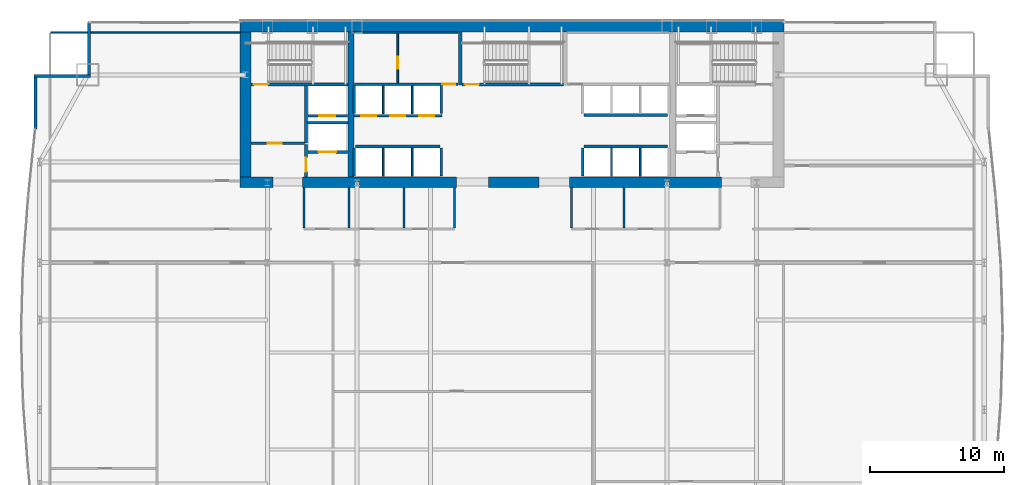
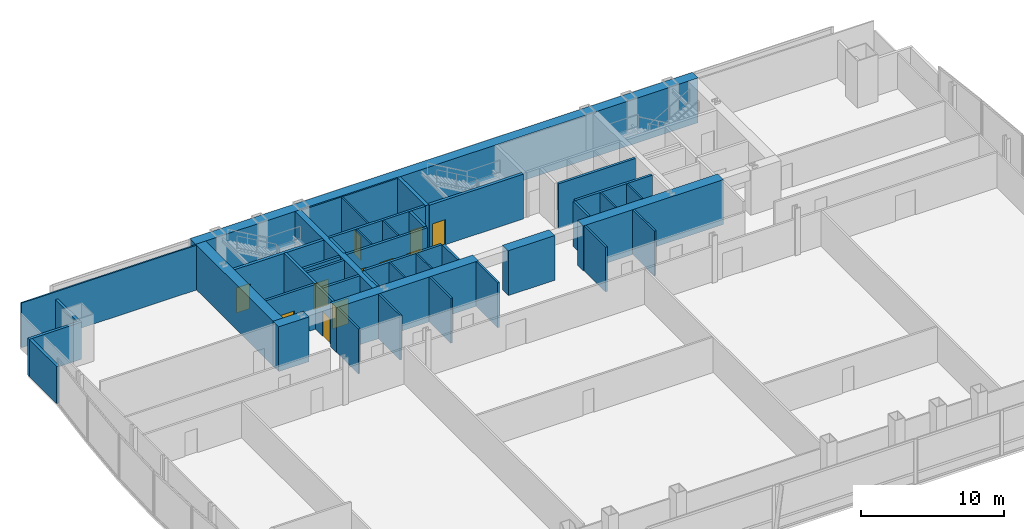
# One storey, part 28 of 32: 44 walls, 11 doors, 11 openings.
"""IFC4 building model written with IfcOpenShell, lengths in metres."""

from ifc_helpers import new_model, si_unit, direction, frame, frame_2d, origin, place, context, subcontext, project, spatial, rectangle, extrude, material, layer, layer_set, type_object, element, fill, save


model = new_model("IFC4")

# Units and contexts
model_context = context("Model", 3, precision=1e-05, world=origin(), true_north=direction((0.0, 1.0)))
body_context = subcontext(model_context, "Body", "Model", "MODEL_VIEW")
ifc_project = project(units=[si_unit("LENGTHUNIT", "METRE"), si_unit("AREAUNIT", "SQUARE_METRE"), si_unit("VOLUMEUNIT", "CUBIC_METRE"), si_unit("PLANEANGLEUNIT", "RADIAN"), si_unit("MASSUNIT", "GRAM", prefix="KILO")], contexts=[model_context])

# Site, building, storey
site_placement = place(None, origin())
site = spatial("IfcSite", under=ifc_project, at=site_placement, CompositionType="ELEMENT")
building_placement = place(site_placement, origin())
building = spatial("IfcBuilding", under=site, at=building_placement, Name="Khoronbel Lancet Exchange", CompositionType="ELEMENT")
storey_placement = place(building_placement, frame((0.0, 0.0, 29.800048828125)))
storey = spatial("IfcBuildingStorey", under=building, at=storey_placement, Name="L06", CompositionType="ELEMENT", Elevation=29.800048828125)

# Walls
ifc_material_1 = material(Name="Concrete C80/95", Category="concrete")
ifc_layer_1 = layer(ifc_material_1, 0.800048828125, Name="Concrete C80/95")
ifc_layer_set_1 = layer_set([ifc_layer_1], Name="Concrete C80/95")
wall_type_1 = type_object("IfcWallType", Name="WL-CW1", PredefinedType="SHEAR", material=ifc_layer_set_1)
wall_1_placement = place(storey_placement, frame((16.199951171875, 53.300048828125, 0.0), z_axis=(0.0, 0.0, 1.0), x_axis=(1.0, 0.0, 0.0)))
element("IfcWall", 1, at=wall_1_placement, inside=storey, type_object=wall_type_1, Name="Level L06 rear core north shear wall", PredefinedType="SHEAR", context=body_context, shape_type="SweptSolid", body=[
    extrude(rectangle(XDim=40.5, YDim=0.800048828125, at=frame_2d((20.25, 0.0))), origin(), (0.0, 0.0, 1.0), 3.820068359375),
])
wall_2_placement = place(storey_placement, frame((16.60009765625, 42.10009765625, 0.0), z_axis=(0.0, 0.0, 1.0), x_axis=(0.0, 1.0, 0.0)))
element("IfcWall", 2, at=wall_2_placement, inside=storey, type_object=wall_type_1, Name="Level L06 rear core west shear wall", PredefinedType="SHEAR", context=body_context, shape_type="SweptSolid", body=[
    extrude(rectangle(XDim=10.7998046875, YDim=0.800048828125, at=frame_2d((5.39990234375, 0.0))), origin(), (0.0, 0.0, 1.0), 3.820068359375),
])
wall_3_placement = place(storey_placement, frame((18.64990234375, 41.699951171875, 0.0), z_axis=(0.0, 0.0, 1.0), x_axis=(-1.0, 0.0, 0.0)))
element("IfcWall", 3, at=wall_3_placement, inside=storey, type_object=wall_type_1, Name="Level L06 rear core south shear wall pier P1", PredefinedType="SHEAR", context=body_context, shape_type="SweptSolid", body=[
    extrude(rectangle(XDim=2.449951171875, YDim=0.800048828125, at=frame_2d((1.22509765625, 0.0))), origin(), (0.0, 0.0, 1.0), 3.820068359375),
])
wall_4_placement = place(storey_placement, frame((32.300048828125, 41.699951171875, 0.0), z_axis=(0.0, 0.0, 1.0), x_axis=(-1.0, 0.0, 0.0)))
element("IfcWall", 4, at=wall_4_placement, inside=storey, type_object=wall_type_1, Name="Level L06 rear core south shear wall pier P2", PredefinedType="SHEAR", context=body_context, shape_type="SweptSolid", body=[
    extrude(rectangle(XDim=11.449951171875, YDim=0.800048828125, at=frame_2d((5.72509765625, 0.0))), origin(), (0.0, 0.0, 1.0), 3.820068359375),
])
wall_5_placement = place(storey_placement, frame((38.449951171875, 41.699951171875, 0.0), z_axis=(0.0, 0.0, 1.0), x_axis=(-1.0, 0.0, 0.0)))
element("IfcWall", 5, at=wall_5_placement, inside=storey, type_object=wall_type_1, Name="Level L06 rear core south shear wall pier P3", PredefinedType="SHEAR", context=body_context, shape_type="SweptSolid", body=[
    extrude(rectangle(XDim=3.75, YDim=0.800048828125, at=frame_2d((1.875, 0.0))), origin(), (0.0, 0.0, 1.0), 3.820068359375),
])
wall_6_placement = place(storey_placement, frame((52.050048828125, 41.699951171875, 0.0), z_axis=(0.0, 0.0, 1.0), x_axis=(-1.0, 0.0, 0.0)))
element("IfcWall", 6, at=wall_6_placement, inside=storey, type_object=wall_type_1, Name="Level L06 rear core south shear wall pier P4", PredefinedType="SHEAR", context=body_context, shape_type="SweptSolid", body=[
    extrude(rectangle(XDim=11.300048828125, YDim=0.800048828125, at=frame_2d((5.64990234375, 0.0))), origin(), (0.0, 0.0, 1.0), 3.820068359375),
])
ifc_material_2 = material(Name="Precast concrete C40/50", Category="concrete")
ifc_layer_2 = layer(ifc_material_2, 0.25, Name="Precast concrete C40/50")
ifc_layer_set_2 = layer_set([ifc_layer_2], Name="Precast concrete C40/50")
wall_type_2 = type_object("IfcWallType", Name="WL-EXT250", PredefinedType="SOLIDWALL", material=ifc_layer_set_2)
wall_7_placement = place(storey_placement, frame((0.93994140625, 45.67529296875, 0.0), z_axis=(0.0, 0.0, 1.0), x_axis=(0.0, 1.0, 0.0)))
element("IfcWall", 7, at=wall_7_placement, inside=storey, type_object=wall_type_2, Name="Level L06 notched-corner limestone pier 10", PredefinedType="SOLIDWALL", context=body_context, shape_type="SweptSolid", body=[
    extrude(rectangle(XDim=3.82470703125, YDim=0.219970703125, at=frame_2d((1.912353515625, 0.0))), origin(), (0.0, 0.0, 1.0), 3.159912109375),
])
wall_8_placement = place(storey_placement, frame((0.830078125, 49.610107421875, 0.0), z_axis=(0.0, 0.0, 1.0), x_axis=(1.0, 0.0, 0.0)))
element("IfcWall", 8, at=wall_8_placement, inside=storey, type_object=wall_type_2, Name="Level L06 notched-corner limestone pier 11", PredefinedType="SOLIDWALL", context=body_context, shape_type="SweptSolid", body=[
    extrude(rectangle(XDim=4.219970703125, YDim=0.219970703125, at=frame_2d((2.10986328125, 0.0))), origin(), (0.0, 0.0, 1.0), 3.159912109375),
])
wall_9_placement = place(storey_placement, frame((4.93994140625, 49.719970703125, 0.0), z_axis=(0.0, 0.0, 1.0), x_axis=(0.0, 1.0, 0.0)))
element("IfcWall", 9, at=wall_9_placement, inside=storey, type_object=wall_type_2, Name="Level L06 notched-corner limestone pier 12", PredefinedType="SOLIDWALL", context=body_context, shape_type="SweptSolid", body=[
    extrude(rectangle(XDim=3.909912109375, YDim=0.219970703125, at=frame_2d((1.955078125, 0.0))), origin(), (0.0, 0.0, 1.0), 3.159912109375),
])
ifc_material_3 = material(Name="Acoustic Metal-Stud & Mineral-Wool Gypsum Partition 120 mm", Category="gypsum")
ifc_layer_3 = layer(ifc_material_3, 0.1201171875, Name="Acoustic Metal-Stud & Mineral-Wool Gypsum Partition 120 mm")
ifc_layer_set_3 = layer_set([ifc_layer_3], Name="Acoustic Metal-Stud & Mineral-Wool Gypsum Partition 120 mm")
wall_type_3 = type_object("IfcWallType", Name="WL-PRT120", PredefinedType="PARTITIONING", material=ifc_layer_set_3)
for number, where, z_axis, x_axis, name in (
    (10, (20.949951171875, 38.280029296875, 0.0), (0.0, 0.0, 1.0), (0.0, 1.0, 0.0), "Level L06 interior partition PW-WC-0"),
    (11, (24.300048828125, 38.280029296875, 0.0), (0.0, 0.0, 1.0), (0.0, 1.0, 0.0), "Level L06 interior partition PW-WC-1"),
    (12, (28.39990234375, 38.280029296875, 0.0), (0.0, 0.0, 1.0), (0.0, 1.0, 0.0), "Level L06 interior partition PW-WC-2"),
    (13, (32.179931640625, 38.280029296875, 0.0), (0.0, 0.0, 1.0), (0.0, 1.0, 0.0), "Level L06 interior partition PW-WC-3"),
    (14, (40.8798828125, 38.280029296875, 0.0), (0.0, 0.0, 1.0), (0.0, 1.0, 0.0), "Level L06 interior partition PW-NP-0"),
    (15, (44.800048828125, 38.280029296875, 0.0), (0.0, 0.0, 1.0), (0.0, 1.0, 0.0), "Level L06 interior partition PW-NP-M"),
):
    element("IfcWall", number, at=place(storey_placement, frame(where, z_axis=z_axis, x_axis=x_axis)), inside=storey, type_object=wall_type_3, Name=name, PredefinedType="PARTITIONING", context=body_context, shape_type="SweptSolid", body=[
        extrude(rectangle(XDim=3.02001953125, YDim=0.14990234375, at=frame_2d((1.510009765625, 0.0))), origin(), (0.0, 0.0, 1.0), 3.820068359375),
    ])
wall_10_placement = place(storey_placement, frame((2.094970703125, 52.840087890625, 0.0), z_axis=(0.0, 0.0, 1.0), x_axis=(1.0, 0.0, 0.0)))
element("IfcWall", 16, at=wall_10_placement, inside=storey, type_object=wall_type_3, Name="Level L06 interior partition PW-LIN-NW", PredefinedType="PARTITIONING", context=body_context, shape_type="SweptSolid", body=[
    extrude(rectangle(XDim=14.10498046875, YDim=0.1201171875, at=frame_2d((7.052490234375, 0.0))), origin(), (0.0, 0.0, 1.0), 3.820068359375),
])
ifc_material_4 = material(Name="Fire-Rated Metal-Stud & Mineral-Wool Gypsum Partition 120 mm", Category="gypsum")
ifc_layer_4 = layer(ifc_material_4, 0.1201171875, Name="Fire-Rated Metal-Stud & Mineral-Wool Gypsum Partition 120 mm")
ifc_layer_set_4 = layer_set([ifc_layer_4], Name="Fire-Rated Metal-Stud & Mineral-Wool Gypsum Partition 120 mm")
wall_type_4 = type_object("IfcWallType", Name="WL-PRT120F", PredefinedType="PARTITIONING", material=ifc_layer_set_4)
for number, where, z_axis, x_axis, name in (
    (17, (26.860107421875, 46.800048828125, 0.0), (0.0, 0.0, 1.0), (0.0, 1.0, 0.0), "Level L06 interior partition CW-PL-D1"),
    (18, (29.02001953125, 46.800048828125, 0.0), (0.0, 0.0, 1.0), (0.0, 1.0, 0.0), "Level L06 interior partition CW-PL-D2"),
):
    element("IfcWall", number, at=place(storey_placement, frame(where, z_axis=z_axis, x_axis=x_axis)), inside=storey, type_object=wall_type_4, Name=name, PredefinedType="PARTITIONING", context=body_context, shape_type="SweptSolid", body=[
        extrude(rectangle(XDim=2.094970703125, YDim=0.1201171875, at=frame_2d((1.04736328125, 0.0))), origin(), (0.0, 0.0, 1.0), 3.820068359375),
    ])
for number, where, z_axis, x_axis, name in (
    (19, (26.860107421875, 42.14990234375, 0.0), (0.0, 0.0, 1.0), (0.0, 1.0, 0.0), "Level L06 interior partition CW-PM-D1"),
    (20, (29.02001953125, 42.14990234375, 0.0), (0.0, 0.0, 1.0), (0.0, 1.0, 0.0), "Level L06 interior partition CW-PM-D2"),
    (21, (43.860107421875, 42.14990234375, 0.0), (0.0, 0.0, 1.0), (0.0, 1.0, 0.0), "Level L06 interior partition CW-PX-D1"),
    (22, (46.0, 42.14990234375, 0.0), (0.0, 0.0, 1.0), (0.0, 1.0, 0.0), "Level L06 interior partition CW-PX-D2"),
):
    element("IfcWall", number, at=place(storey_placement, frame(where, z_axis=z_axis, x_axis=x_axis)), inside=storey, type_object=wall_type_4, Name=name, PredefinedType="PARTITIONING", context=body_context, shape_type="SweptSolid", body=[
        extrude(rectangle(XDim=2.09521484375, YDim=0.1201171875, at=frame_2d((1.047607421875, 0.0))), origin(), (0.0, 0.0, 1.0), 3.820068359375),
    ])
wall_11_placement = place(storey_placement, frame((24.699951171875, 52.860107421875, 0.0), z_axis=(0.0, 0.0, 1.0), x_axis=(1.0, 0.0, 0.0)))
element("IfcWall", 23, at=wall_11_placement, inside=storey, type_object=wall_type_4, Name="Level L06 interior partition CW-SUP-NW-N", PredefinedType="PARTITIONING", context=body_context, shape_type="SweptSolid", body=[
    extrude(rectangle(XDim=7.719970703125, YDim=0.1201171875, at=frame_2d((3.85986328125, 0.0))), origin(), (0.0, 0.0, 1.0), 3.820068359375),
])

# Wall, opening, door
wall_12_placement = place(storey_placement, frame((27.9423828125, 49.10498046875, 0.0), z_axis=(0.0, 0.0, 1.0), x_axis=(0.0, 1.0, 0.0)))
wall_12 = element("IfcWall", 24, at=wall_12_placement, inside=storey, type_object=wall_type_4, Name="Level L06 interior partition CW-SUP-NW-M", PredefinedType="PARTITIONING", context=body_context, shape_type="SweptSolid", body=[
    extrude(rectangle(XDim=3.68994140625, YDim=0.1201171875, at=frame_2d((1.844970703125, 0.0))), origin(), (0.0, 0.0, 1.0), 3.820068359375),
])
opening_1_placement = place(wall_12_placement, frame((1.050048828125, 0.0, 0.0)))
opening_1 = element("IfcOpeningElement", 25, at=opening_1_placement, cuts=wall_12, Name="Opening FD4", PredefinedType="OPENING", context=body_context, shape_type="SweptSolid", body=[
    extrude(rectangle(XDim=0.89990234375, YDim=2.050048828125, at=frame_2d((0.449951171875, 1.02490234375))), frame((0.0, 0.070068359375, 0.0), z_axis=(0.0, -1.0, 0.0), x_axis=(1.0, 0.0, 0.0)), (0.0, 0.0, 1.0), 0.14013671875),
])
ifc_material_5 = material(Name="Fire-Rated Steel Core Support Door Assembly", Category="steel")
door_type_1 = type_object("IfcDoorType", Name="DR-FD4", OperationType="NOTDEFINED", PredefinedType="DOOR", material=ifc_material_5)
door_1_placement = place(opening_1_placement, origin())
door_1 = element("IfcDoor", 26, at=door_1_placement, inside=storey, type_object=door_type_1, Name="Core NW inner support door L06-1", OperationType="SINGLE_SWING_RIGHT", OverallHeight=2.050048828125, OverallWidth=0.89990234375, PredefinedType="DOOR", context=body_context, shape_type="SweptSolid", body=[
    extrude(rectangle(XDim=0.89990234375, YDim=2.050048828125, at=frame_2d((0.449951171875, 1.02490234375))), frame((0.0, 0.02490234375, 0.0), z_axis=(0.0, -1.0, 0.0), x_axis=(1.0, 0.0, 0.0)), (0.0, 0.0, 1.0), 0.050048828125),
])
fill(opening_1, door_1)

ifc_material_6 = material(Name="Autoclaved Aerated Concrete Blockwork 200 mm", Category="masonry")
ifc_layer_5 = layer(ifc_material_6, 0.199951171875, Name="Autoclaved Aerated Concrete Blockwork 200 mm")
ifc_layer_set_5 = layer_set([ifc_layer_5], Name="Autoclaved Aerated Concrete Blockwork 200 mm")
wall_type_5 = type_object("IfcWallType", Name="WL-PRT200", PredefinedType="PARTITIONING", material=ifc_layer_set_5)
wall_13_placement = place(storey_placement, frame((24.2099609375, 43.949951171875, 0.0), z_axis=(0.0, 0.0, 1.0), x_axis=(-1.0, 0.0, 0.0)))
wall_13 = element("IfcWall", 27, at=wall_13_placement, inside=storey, type_object=wall_type_5, Name="Level L06 elevator hoistway landing front wall SVLW", PredefinedType="PARTITIONING", context=body_context, shape_type="SweptSolid", body=[
    extrude(rectangle(XDim=2.969970703125, YDim=0.199951171875, at=frame_2d((1.48486328125, 0.0))), origin(), (0.0, 0.0, 1.0), 3.820068359375),
])
opening_2_placement = place(wall_13_placement, frame((0.860107421875, 0.0, 0.0)))
opening_2 = element("IfcOpeningElement", 28, at=opening_2_placement, cuts=wall_13, Name="Opening LD-SVL1", PredefinedType="OPENING", context=body_context, shape_type="SweptSolid", body=[
    extrude(rectangle(XDim=1.300048828125, YDim=2.179931640625, at=frame_2d((0.64990234375, 1.08984375))), frame((0.0, 0.10986328125, 0.0), z_axis=(0.0, -1.0, 0.0), x_axis=(1.0, 0.0, 0.0)), (0.0, 0.0, 1.0), 0.219970703125),
])
ifc_material_7 = material(Name="Heavy-Duty Bi-Parting Goods Lift Landing Door", Category="steel")
door_type_2 = type_object("IfcDoorType", Name="DR-LD-SVL", OperationType="NOTDEFINED", PredefinedType="DOOR", material=ifc_material_7)
door_2_placement = place(opening_2_placement, origin())
door_2 = element("IfcDoor", 29, at=door_2_placement, inside=storey, type_object=door_type_2, Name="Elevator landing sliding door LD-SVL1 L06", OperationType="SLIDING_TO_LEFT", OverallHeight=2.179931640625, OverallWidth=1.300048828125, PredefinedType="DOOR", context=body_context, shape_type="SweptSolid", body=[
    extrude(rectangle(XDim=1.300048828125, YDim=2.179931640625, at=frame_2d((0.64990234375, 1.08984375))), frame((0.0, 0.02490234375, 0.0), z_axis=(0.0, -1.0, 0.0), x_axis=(1.0, 0.0, 0.0)), (0.0, 0.0, 1.0), 0.050048828125),
])
fill(opening_2, door_2)

wall_14_placement = place(storey_placement, frame((24.2099609375, 46.64990234375, 0.0), z_axis=(0.0, 0.0, 1.0), x_axis=(-1.0, 0.0, 0.0)))
wall_14 = element("IfcWall", 30, at=wall_14_placement, inside=storey, type_object=wall_type_5, Name="Level L06 elevator hoistway landing front wall FFLW", PredefinedType="PARTITIONING", context=body_context, shape_type="SweptSolid", body=[
    extrude(rectangle(XDim=2.969970703125, YDim=0.199951171875, at=frame_2d((1.48486328125, 0.0))), origin(), (0.0, 0.0, 1.0), 3.820068359375),
])
opening_3_placement = place(wall_14_placement, frame((0.909912109375, 0.0, 0.0)))
opening_3 = element("IfcOpeningElement", 31, at=opening_3_placement, cuts=wall_14, Name="Opening LD-FFL1", PredefinedType="OPENING", context=body_context, shape_type="SweptSolid", body=[
    extrude(rectangle(XDim=1.199951171875, YDim=2.179931640625, at=frame_2d((0.60009765625, 1.08984375))), frame((0.0, 0.10986328125, 0.0), z_axis=(0.0, -1.0, 0.0), x_axis=(1.0, 0.0, 0.0)), (0.0, 0.0, 1.0), 0.219970703125),
])
ifc_material_8 = material(Name="Fire-Rated Stainless Bi-Parting Firefighting Lift Door", Category="steel")
door_type_3 = type_object("IfcDoorType", Name="DR-LD-FFL", OperationType="NOTDEFINED", PredefinedType="DOOR", material=ifc_material_8)
door_3_placement = place(opening_3_placement, origin())
door_3 = element("IfcDoor", 32, at=door_3_placement, inside=storey, type_object=door_type_3, Name="Elevator landing sliding door LD-FFL1 L06", OperationType="SLIDING_TO_LEFT", OverallHeight=2.179931640625, OverallWidth=1.199951171875, PredefinedType="DOOR", context=body_context, shape_type="SweptSolid", body=[
    extrude(rectangle(XDim=1.199951171875, YDim=2.179931640625, at=frame_2d((0.60009765625, 1.08984375))), frame((0.0, 0.02490234375, 0.0), z_axis=(0.0, -1.0, 0.0), x_axis=(1.0, 0.0, 0.0)), (0.0, 0.0, 1.0), 0.050048828125),
])
fill(opening_3, door_3)

# Wall, openings, doors
wall_15_placement = place(storey_placement, frame((31.219970703125, 46.64990234375, 0.0), z_axis=(0.0, 0.0, 1.0), x_axis=(-1.0, 0.0, 0.0)))
wall_15 = element("IfcWall", 33, at=wall_15_placement, inside=storey, type_object=wall_type_5, Name="Level L06 elevator hoistway landing front wall PLW", PredefinedType="PARTITIONING", context=body_context, shape_type="SweptSolid", body=[
    extrude(rectangle(XDim=6.530029296875, YDim=0.199951171875, at=frame_2d((3.26513671875, 0.0))), origin(), (0.0, 0.0, 1.0), 3.820068359375),
])
opening_4_placement = place(wall_15_placement, frame((4.89990234375, 0.0, 0.0)))
opening_4 = element("IfcOpeningElement", 34, at=opening_4_placement, cuts=wall_15, Name="Opening LD-PL1", PredefinedType="OPENING", context=body_context, shape_type="SweptSolid", body=[
    extrude(rectangle(XDim=1.10009765625, YDim=2.179931640625, at=frame_2d((0.550048828125, 1.08984375))), frame((0.0, 0.10986328125, 0.0), z_axis=(0.0, -1.0, 0.0), x_axis=(1.0, 0.0, 0.0)), (0.0, 0.0, 1.0), 0.219970703125),
])
opening_5_placement = place(wall_15_placement, frame((2.739990234375, 0.0, 0.0)))
opening_5 = element("IfcOpeningElement", 35, at=opening_5_placement, cuts=wall_15, Name="Opening LD-PL2", PredefinedType="OPENING", context=body_context, shape_type="SweptSolid", body=[
    extrude(rectangle(XDim=1.10009765625, YDim=2.179931640625, at=frame_2d((0.550048828125, 1.08984375))), frame((0.0, 0.10986328125, 0.0), z_axis=(0.0, -1.0, 0.0), x_axis=(1.0, 0.0, 0.0)), (0.0, 0.0, 1.0), 0.219970703125),
])
opening_6_placement = place(wall_15_placement, frame((0.580078125, 0.0, 0.0)))
opening_6 = element("IfcOpeningElement", 36, at=opening_6_placement, cuts=wall_15, Name="Opening LD-PL3", PredefinedType="OPENING", context=body_context, shape_type="SweptSolid", body=[
    extrude(rectangle(XDim=1.10009765625, YDim=2.179931640625, at=frame_2d((0.550048828125, 1.08984375))), frame((0.0, 0.10986328125, 0.0), z_axis=(0.0, -1.0, 0.0), x_axis=(1.0, 0.0, 0.0)), (0.0, 0.0, 1.0), 0.219970703125),
])
ifc_material_9 = material(Name="Brushed Bronze Bi-Parting Elevator Landing Door", Category="steel")
door_type_4 = type_object("IfcDoorType", Name="DR-LD-PAX", OperationType="NOTDEFINED", PredefinedType="DOOR", material=ifc_material_9)
door_4_placement = place(opening_4_placement, origin())
door_4 = element("IfcDoor", 37, at=door_4_placement, inside=storey, type_object=door_type_4, Name="Elevator landing sliding door LD-PL1 L06", OperationType="SLIDING_TO_LEFT", OverallHeight=2.179931640625, OverallWidth=1.10009765625, PredefinedType="DOOR", context=body_context, shape_type="SweptSolid", body=[
    extrude(rectangle(XDim=1.10009765625, YDim=2.179931640625, at=frame_2d((0.550048828125, 1.08984375))), frame((0.0, 0.02490234375, 0.0), z_axis=(0.0, -1.0, 0.0), x_axis=(1.0, 0.0, 0.0)), (0.0, 0.0, 1.0), 0.050048828125),
])
fill(opening_4, door_4)
door_5_placement = place(opening_5_placement, origin())
door_5 = element("IfcDoor", 38, at=door_5_placement, inside=storey, type_object=door_type_4, Name="Elevator landing sliding door LD-PL2 L06", OperationType="SLIDING_TO_LEFT", OverallHeight=2.179931640625, OverallWidth=1.10009765625, PredefinedType="DOOR", context=body_context, shape_type="SweptSolid", body=[
    extrude(rectangle(XDim=1.10009765625, YDim=2.179931640625, at=frame_2d((0.550048828125, 1.08984375))), frame((0.0, 0.02490234375, 0.0), z_axis=(0.0, -1.0, 0.0), x_axis=(1.0, 0.0, 0.0)), (0.0, 0.0, 1.0), 0.050048828125),
])
fill(opening_5, door_5)
door_6_placement = place(opening_6_placement, origin())
door_6 = element("IfcDoor", 39, at=door_6_placement, inside=storey, type_object=door_type_4, Name="Elevator landing sliding door LD-PL3 L06", OperationType="SLIDING_TO_LEFT", OverallHeight=2.179931640625, OverallWidth=1.10009765625, PredefinedType="DOOR", context=body_context, shape_type="SweptSolid", body=[
    extrude(rectangle(XDim=1.10009765625, YDim=2.179931640625, at=frame_2d((0.550048828125, 1.08984375))), frame((0.0, 0.02490234375, 0.0), z_axis=(0.0, -1.0, 0.0), x_axis=(1.0, 0.0, 0.0)), (0.0, 0.0, 1.0), 0.050048828125),
])
fill(opening_6, door_6)

# Wall
wall_16_placement = place(storey_placement, frame((21.10009765625, 44.60009765625, 0.0), z_axis=(0.0, 0.0, 1.0), x_axis=(0.0, 1.0, 0.0)))
element("IfcWall", 40, at=wall_16_placement, inside=storey, type_object=wall_type_5, Name="Level L06 interior partition CW-FFLW-E", PredefinedType="PARTITIONING", context=body_context, shape_type="SweptSolid", body=[
    extrude(rectangle(XDim=4.2998046875, YDim=0.199951171875, at=frame_2d((2.14990234375, 0.0))), origin(), (0.0, 0.0, 1.0), 3.820068359375),
])

# Wall, opening, door
wall_17_placement = place(storey_placement, frame((17.0, 44.60009765625, 0.0), z_axis=(0.0, 0.0, 1.0), x_axis=(1.0, 0.0, 0.0)))
wall_17 = element("IfcWall", 41, at=wall_17_placement, inside=storey, type_object=wall_type_5, Name="Level L06 interior partition CW-FFLW-S", PredefinedType="PARTITIONING", context=body_context, shape_type="SweptSolid", body=[
    extrude(rectangle(XDim=4.0, YDim=0.199951171875, at=frame_2d((2.0, 0.0))), origin(), (0.0, 0.0, 1.0), 3.820068359375),
])
opening_7_placement = place(wall_17_placement, frame((1.25, 0.0, 0.0)))
opening_7 = element("IfcOpeningElement", 42, at=opening_7_placement, cuts=wall_17, Name="Opening FD1", PredefinedType="OPENING", context=body_context, shape_type="SweptSolid", body=[
    extrude(rectangle(XDim=1.050048828125, YDim=2.14990234375, at=frame_2d((0.52490234375, 1.074951171875))), frame((0.0, 0.10986328125, 0.0), z_axis=(0.0, -1.0, 0.0), x_axis=(1.0, 0.0, 0.0)), (0.0, 0.0, 1.0), 0.219970703125),
])
ifc_material_10 = material(Name="Fire-Rated Painted Steel Door Assembly", Category="steel")
door_type_5 = type_object("IfcDoorType", Name="DR-FD1", OperationType="NOTDEFINED", PredefinedType="DOOR", material=ifc_material_10)
door_7_placement = place(opening_7_placement, origin())
door_7 = element("IfcDoor", 43, at=door_7_placement, inside=storey, type_object=door_type_5, Name="West firefighting lobby FD90S door L06-1", OperationType="SINGLE_SWING_LEFT", OverallHeight=2.14990234375, OverallWidth=1.050048828125, PredefinedType="DOOR", context=body_context, shape_type="SweptSolid", body=[
    extrude(rectangle(XDim=1.050048828125, YDim=2.14990234375, at=frame_2d((0.52490234375, 1.074951171875))), frame((0.0, 0.02490234375, 0.0), z_axis=(0.0, -1.0, 0.0), x_axis=(1.0, 0.0, 0.0)), (0.0, 0.0, 1.0), 0.050048828125),
])
fill(opening_7, door_7)

# Wall
wall_18_placement = place(storey_placement, frame((21.199951171875, 46.1201171875, 0.0), z_axis=(0.0, 0.0, 1.0), x_axis=(1.0, 0.0, 0.0)))
element("IfcWall", 44, at=wall_18_placement, inside=storey, type_object=wall_type_5, Name="Level L06 interior partition CW-FFL1-S", PredefinedType="PARTITIONING", context=body_context, shape_type="SweptSolid", body=[
    extrude(rectangle(XDim=3.02001953125, YDim=0.199951171875, at=frame_2d((1.510009765625, 0.0))), origin(), (0.0, 0.0, 1.0), 3.820068359375),
])

# Wall, opening, door
wall_19_placement = place(storey_placement, frame((21.10009765625, 42.10009765625, 0.0), z_axis=(0.0, 0.0, 1.0), x_axis=(0.0, 1.0, 0.0)))
wall_19 = element("IfcWall", 45, at=wall_19_placement, inside=storey, type_object=wall_type_5, Name="Level L06 interior partition CW-SVLW-W", PredefinedType="PARTITIONING", context=body_context, shape_type="SweptSolid", body=[
    extrude(rectangle(XDim=2.39501953125, YDim=0.199951171875, at=frame_2d((1.197509765625, 0.0))), origin(), (0.0, 0.0, 1.0), 3.820068359375),
])
opening_8_placement = place(wall_19_placement, frame((0.3798828125, 0.0, 0.0)))
opening_8 = element("IfcOpeningElement", 46, at=opening_8_placement, cuts=wall_19, Name="Opening FD1", PredefinedType="OPENING", context=body_context, shape_type="SweptSolid", body=[
    extrude(rectangle(XDim=1.050048828125, YDim=2.14990234375, at=frame_2d((0.52490234375, 1.074951171875))), frame((0.0, 0.10986328125, 0.0), z_axis=(0.0, -1.0, 0.0), x_axis=(1.0, 0.0, 0.0)), (0.0, 0.0, 1.0), 0.219970703125),
])
door_8_placement = place(opening_8_placement, origin())
door_8 = element("IfcDoor", 47, at=door_8_placement, inside=storey, type_object=door_type_5, Name="West service lift lobby door L06-1", OperationType="SINGLE_SWING_RIGHT", OverallHeight=2.14990234375, OverallWidth=1.050048828125, PredefinedType="DOOR", context=body_context, shape_type="SweptSolid", body=[
    extrude(rectangle(XDim=1.050048828125, YDim=2.14990234375, at=frame_2d((0.52490234375, 1.074951171875))), frame((0.0, 0.02490234375, 0.0), z_axis=(0.0, -1.0, 0.0), x_axis=(1.0, 0.0, 0.0)), (0.0, 0.0, 1.0), 0.050048828125),
])
fill(opening_8, door_8)

# Walls
for number, where, z_axis, x_axis, name in (
    (48, (24.699951171875, 46.800048828125, 0.0), (0.0, 0.0, 1.0), (0.0, 1.0, 0.0), "Level L06 interior partition CW-PL-W"),
    (49, (31.179931640625, 46.800048828125, 0.0), (0.0, 0.0, 1.0), (0.0, 1.0, 0.0), "Level L06 interior partition CW-PL-E"),
):
    element("IfcWall", number, at=place(storey_placement, frame(where, z_axis=z_axis, x_axis=x_axis)), inside=storey, type_object=wall_type_5, Name=name, PredefinedType="PARTITIONING", context=body_context, shape_type="SweptSolid", body=[
        extrude(rectangle(XDim=2.094970703125, YDim=0.199951171875, at=frame_2d((1.04736328125, 0.0))), origin(), (0.0, 0.0, 1.0), 3.820068359375),
    ])
wall_20_placement = place(storey_placement, frame((24.804931640625, 44.35009765625, 0.0), z_axis=(0.0, 0.0, 1.0), x_axis=(1.0, 0.0, 0.0)))
element("IfcWall", 50, at=wall_20_placement, inside=storey, type_object=wall_type_5, Name="Level L06 interior partition CW-PM-EXP", PredefinedType="PARTITIONING", context=body_context, shape_type="SweptSolid", body=[
    extrude(rectangle(XDim=6.27001953125, YDim=0.199951171875, at=frame_2d((3.135009765625, 0.0))), origin(), (0.0, 0.0, 1.0), 3.820068359375),
])
for number, where, z_axis, x_axis, name in (
    (51, (24.699951171875, 42.14990234375, 0.0), (0.0, 0.0, 1.0), (0.0, 1.0, 0.0), "Level L06 interior partition CW-PM-W"),
    (52, (31.179931640625, 42.14990234375, 0.0), (0.0, 0.0, 1.0), (0.0, 1.0, 0.0), "Level L06 interior partition CW-PM-E"),
):
    element("IfcWall", number, at=place(storey_placement, frame(where, z_axis=z_axis, x_axis=x_axis)), inside=storey, type_object=wall_type_5, Name=name, PredefinedType="PARTITIONING", context=body_context, shape_type="SweptSolid", body=[
        extrude(rectangle(XDim=2.09521484375, YDim=0.199951171875, at=frame_2d((1.047607421875, 0.0))), origin(), (0.0, 0.0, 1.0), 3.820068359375),
    ])
for number, where, z_axis, x_axis, name in (
    (53, (41.824951171875, 46.699951171875, 0.0), (0.0, 0.0, 1.0), (1.0, 0.0, 0.0), "Level L06 interior partition CW-PH-EXP"),
    (54, (41.824951171875, 44.35009765625, 0.0), (0.0, 0.0, 1.0), (1.0, 0.0, 0.0), "Level L06 interior partition CW-PX-EXP"),
):
    element("IfcWall", number, at=place(storey_placement, frame(where, z_axis=z_axis, x_axis=x_axis)), inside=storey, type_object=wall_type_5, Name=name, PredefinedType="PARTITIONING", context=body_context, shape_type="SweptSolid", body=[
        extrude(rectangle(XDim=6.2099609375, YDim=0.199951171875, at=frame_2d((3.10498046875, 0.0))), origin(), (0.0, 0.0, 1.0), 3.820068359375),
    ])
wall_21_placement = place(storey_placement, frame((41.719970703125, 42.14990234375, 0.0), z_axis=(0.0, 0.0, 1.0), x_axis=(0.0, 1.0, 0.0)))
element("IfcWall", 55, at=wall_21_placement, inside=storey, type_object=wall_type_5, Name="Level L06 interior partition CW-PX-W", PredefinedType="PARTITIONING", context=body_context, shape_type="SweptSolid", body=[
    extrude(rectangle(XDim=2.09521484375, YDim=0.199951171875, at=frame_2d((1.047607421875, 0.0))), origin(), (0.0, 0.0, 1.0), 3.820068359375),
])

# Wall, opening, door
wall_22_placement = place(storey_placement, frame((24.699951171875, 49.0, 0.0), z_axis=(0.0, 0.0, 1.0), x_axis=(1.0, 0.0, 0.0)))
wall_22 = element("IfcWall", 56, at=wall_22_placement, inside=storey, type_object=wall_type_5, Name="Level L06 interior partition CW-SUP-NW-S", PredefinedType="PARTITIONING", context=body_context, shape_type="SweptSolid", body=[
    extrude(rectangle(XDim=7.719970703125, YDim=0.199951171875, at=frame_2d((3.85986328125, 0.0))), origin(), (0.0, 0.0, 1.0), 3.820068359375),
])
opening_9_placement = place(wall_22_placement, frame((6.56005859375, 0.0, 0.0)))
opening_9 = element("IfcOpeningElement", 57, at=opening_9_placement, cuts=wall_22, Name="Opening FD3", PredefinedType="OPENING", context=body_context, shape_type="SweptSolid", body=[
    extrude(rectangle(XDim=0.949951171875, YDim=2.10009765625, at=frame_2d((0.47509765625, 1.050048828125))), frame((0.0, 0.10986328125, 0.0), z_axis=(0.0, -1.0, 0.0), x_axis=(1.0, 0.0, 0.0)), (0.0, 0.0, 1.0), 0.219970703125),
])
ifc_material_11 = material(Name="Fire-Rated Steel Plant & Riser Door Assembly", Category="steel")
door_type_6 = type_object("IfcDoorType", Name="DR-FD3", OperationType="NOTDEFINED", PredefinedType="DOOR", material=ifc_material_11)
door_9_placement = place(opening_9_placement, origin())
door_9 = element("IfcDoor", 58, at=door_9_placement, inside=storey, type_object=door_type_6, Name="Core NW support room door L06-1", OperationType="SINGLE_SWING_LEFT", OverallHeight=2.10009765625, OverallWidth=0.949951171875, PredefinedType="DOOR", context=body_context, shape_type="SweptSolid", body=[
    extrude(rectangle(XDim=0.949951171875, YDim=2.10009765625, at=frame_2d((0.47509765625, 1.050048828125))), frame((0.0, 0.02490234375, 0.0), z_axis=(0.0, -1.0, 0.0), x_axis=(1.0, 0.0, 0.0)), (0.0, 0.0, 1.0), 0.050048828125),
])
fill(opening_9, door_9)

# Walls
ifc_layer_6 = layer(ifc_material_1, 0.449951171875, Name="Concrete C80/95")
ifc_layer_set_6 = layer_set([ifc_layer_6], Name="Concrete C80/95")
wall_type_6 = type_object("IfcWallType", Name="WL-SW1", PredefinedType="SHEAR", material=ifc_layer_set_6)
wall_23_placement = place(storey_placement, frame((24.449951171875, 42.10009765625, 0.0), z_axis=(0.0, 0.0, 1.0), x_axis=(0.0, 1.0, 0.0)))
element("IfcWall", 59, at=wall_23_placement, inside=storey, type_object=wall_type_6, Name="Level L06 rear core internal spine shear wall IW", PredefinedType="SHEAR", context=body_context, shape_type="SweptSolid", body=[
    extrude(rectangle(XDim=10.7998046875, YDim=0.449951171875, at=frame_2d((5.39990234375, 0.0))), origin(), (0.0, 0.0, 1.0), 3.820068359375),
])
ifc_material_12 = material(Name="Concrete C60/75", Category="concrete")
ifc_layer_7 = layer(ifc_material_12, 0.260009765625, Name="Concrete C60/75")
ifc_layer_set_7 = layer_set([ifc_layer_7], Name="Concrete C60/75")
wall_type_7 = type_object("IfcWallType", Name="WL-SW3", PredefinedType="SHEAR", material=ifc_layer_set_7)
wall_24_placement = place(storey_placement, frame((32.580078125, 48.949951171875, 0.0), z_axis=(0.0, 0.0, 1.0), x_axis=(0.0, 1.0, 0.0)))
element("IfcWall", 60, at=wall_24_placement, inside=storey, type_object=wall_type_7, Name="Level L06 central stairwell structural shear wall ST3W", PredefinedType="SHEAR", context=body_context, shape_type="SweptSolid", body=[
    extrude(rectangle(XDim=3.949951171875, YDim=0.260009765625, at=frame_2d((1.97509765625, 0.0))), origin(), (0.0, 0.0, 1.0), 3.820068359375),
])

# Wall, opening, door
wall_25_placement = place(storey_placement, frame((17.0, 48.97998046875, 0.0), z_axis=(0.0, 0.0, 1.0), x_axis=(1.0, 0.0, 0.0)))
wall_25 = element("IfcWall", 61, at=wall_25_placement, inside=storey, type_object=wall_type_7, Name="Level L06 west stairwell structural south wall", PredefinedType="SHEAR", context=body_context, shape_type="SweptSolid", body=[
    extrude(rectangle(XDim=7.219970703125, YDim=0.239990234375, at=frame_2d((3.60986328125, 0.0))), origin(), (0.0, 0.0, 1.0), 3.820068359375),
])
opening_10_placement = place(wall_25_placement, frame((0.219970703125, 0.0, 0.0)))
opening_10 = element("IfcOpeningElement", 62, at=opening_10_placement, cuts=wall_25, Name="Opening SD1", PredefinedType="OPENING", context=body_context, shape_type="SweptSolid", body=[
    extrude(rectangle(XDim=1.050048828125, YDim=2.14990234375, at=frame_2d((0.52490234375, 1.074951171875))), frame((0.0, 0.1298828125, 0.0), z_axis=(0.0, -1.0, 0.0), x_axis=(1.0, 0.0, 0.0)), (0.0, 0.0, 1.0), 0.260009765625),
])
ifc_material_13 = material(Name="Fire-Rated Steel Stairwell Door Assembly", Category="steel")
door_type_7 = type_object("IfcDoorType", Name="DR-SD1", OperationType="NOTDEFINED", PredefinedType="DOOR", material=ifc_material_13)
door_10_placement = place(opening_10_placement, origin())
door_10 = element("IfcDoor", 63, at=door_10_placement, inside=storey, type_object=door_type_7, Name="Protected exit stair ST1 door L06", OperationType="SINGLE_SWING_LEFT", OverallHeight=2.14990234375, OverallWidth=1.050048828125, PredefinedType="DOOR", context=body_context, shape_type="SweptSolid", body=[
    extrude(rectangle(XDim=1.050048828125, YDim=2.14990234375, at=frame_2d((0.52490234375, 1.074951171875))), frame((0.0, 0.02490234375, 0.0), z_axis=(0.0, -1.0, 0.0), x_axis=(1.0, 0.0, 0.0)), (0.0, 0.0, 1.0), 0.050048828125),
])
fill(opening_10, door_10)

wall_26_placement = place(storey_placement, frame((32.719970703125, 48.97998046875, 0.0), z_axis=(0.0, 0.0, 1.0), x_axis=(1.0, 0.0, 0.0)))
wall_26 = element("IfcWall", 64, at=wall_26_placement, inside=storey, type_object=wall_type_7, Name="Level L06 central stairwell structural south wall", PredefinedType="SHEAR", context=body_context, shape_type="SweptSolid", body=[
    extrude(rectangle(XDim=7.56005859375, YDim=0.239990234375, at=frame_2d((3.780029296875, 0.0))), origin(), (0.0, 0.0, 1.0), 3.820068359375),
])
opening_11_placement = place(wall_26_placement, frame((0.219970703125, 0.0, 0.0)))
opening_11 = element("IfcOpeningElement", 65, at=opening_11_placement, cuts=wall_26, Name="Opening SD1", PredefinedType="OPENING", context=body_context, shape_type="SweptSolid", body=[
    extrude(rectangle(XDim=1.050048828125, YDim=2.14990234375, at=frame_2d((0.52490234375, 1.074951171875))), frame((0.0, 0.1298828125, 0.0), z_axis=(0.0, -1.0, 0.0), x_axis=(1.0, 0.0, 0.0)), (0.0, 0.0, 1.0), 0.260009765625),
])
door_11_placement = place(opening_11_placement, origin())
door_11 = element("IfcDoor", 66, at=door_11_placement, inside=storey, type_object=door_type_7, Name="Protected exit stair ST3 door L06", OperationType="SINGLE_SWING_LEFT", OverallHeight=2.14990234375, OverallWidth=1.050048828125, PredefinedType="DOOR", context=body_context, shape_type="SweptSolid", body=[
    extrude(rectangle(XDim=1.050048828125, YDim=2.14990234375, at=frame_2d((0.52490234375, 1.074951171875))), frame((0.0, 0.02490234375, 0.0), z_axis=(0.0, -1.0, 0.0), x_axis=(1.0, 0.0, 0.0)), (0.0, 0.0, 1.0), 0.050048828125),
])
fill(opening_11, door_11)

save(model, "model.ifc")
